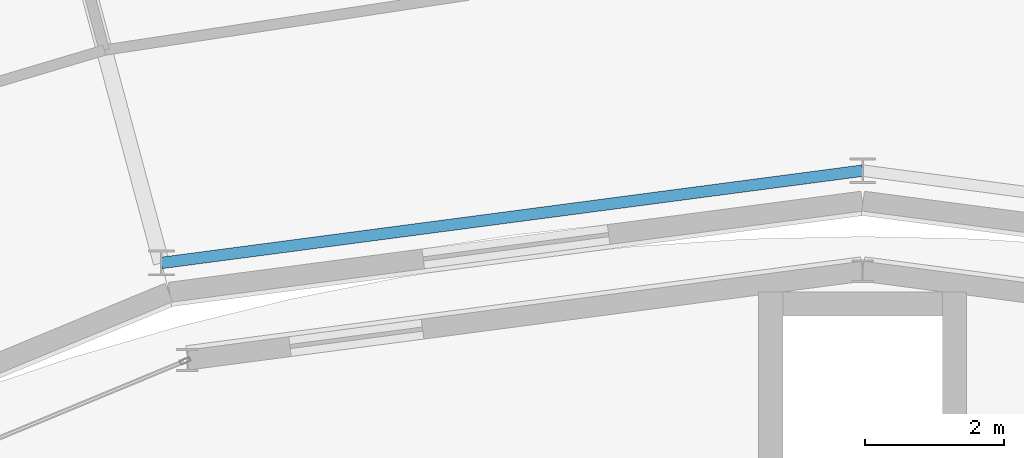
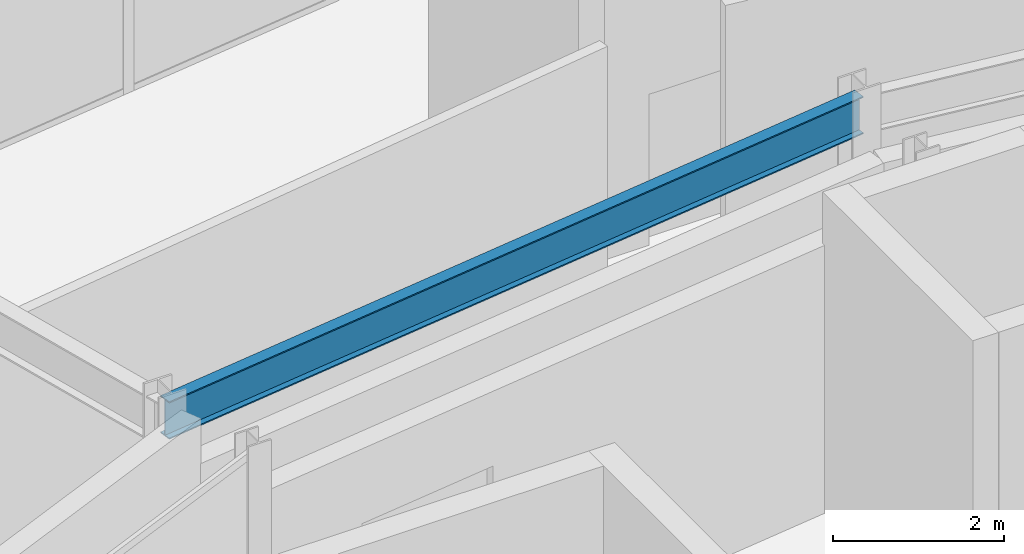
# One storey, part 75 of 157: 1 beam.
"""IFC4 building model written with IfcOpenShell, lengths in metres."""

from ifc_helpers import new_model, si_unit, direction, frame, origin, origin_2d, place, context, subcontext, project, spatial, i_section, extrude, material, material_profile, profile_set, type_object, element, save


model = new_model("IFC4")

# Units and contexts
model_context = context("Model", 3, precision=1e-05, world=origin(), true_north=direction((0.0, 1.0)))
body_context = subcontext(model_context, "Body", "Model", "MODEL_VIEW")
ifc_project = project(units=[si_unit("LENGTHUNIT", "METRE"), si_unit("AREAUNIT", "SQUARE_METRE"), si_unit("VOLUMEUNIT", "CUBIC_METRE"), si_unit("PLANEANGLEUNIT", "RADIAN"), si_unit("MASSUNIT", "GRAM", prefix="KILO")], contexts=[model_context])

# Site, building, storey
site_placement = place(None, origin())
site = spatial("IfcSite", under=ifc_project, at=site_placement, CompositionType="ELEMENT")
building_placement = place(site_placement, origin())
building = spatial("IfcBuilding", under=site, at=building_placement, Name="Almandine Court Research Institute", CompositionType="ELEMENT")
storey_placement = place(building_placement, frame((0.0, 0.0, 5.25)))
storey = spatial("IfcBuildingStorey", under=building, at=storey_placement, Name="L01", CompositionType="ELEMENT", Elevation=5.25)

# Beam
ifc_material = material(Name="Steel ASTM A992 Grade 50", Category="steel")
ifc_material_profile = material_profile(ifc_material, i_section(OverallWidth=0.166015625, OverallDepth=0.534912109375, WebThickness=0.010009765625, FlangeThickness=0.01708984375, at=origin_2d()), Name="W530x85")
ifc_profile_set = profile_set([ifc_material_profile], Name="Steel ASTM A992 Grade 50")
beam_type = type_object("IfcBeamType", Name="Beam-G-05-E", PredefinedType="SPANDREL", material=ifc_profile_set)
beam_placement = place(storey_placement, frame((87.0, 95.10009765625, 4.10205078125), z_axis=(-0.991448758831, -0.130496584681, 0.0), x_axis=(0.130496584681, -0.991448758831, 0.0)))
element("IfcBeam", 1, at=beam_placement, inside=storey, type_object=beam_type, Name="L01 Drum IN Ring Beam 06", PredefinedType="SPANDREL", context=body_context, shape_type="SweptSolid", body=[
    extrude(i_section(OverallWidth=0.166015625, OverallDepth=0.534912109375, WebThickness=0.010009765625, FlangeThickness=0.01708984375, at=origin_2d()), origin(), (0.0, 0.0, 1.0), 10.20751953125),
])

save(model, "model.ifc")
